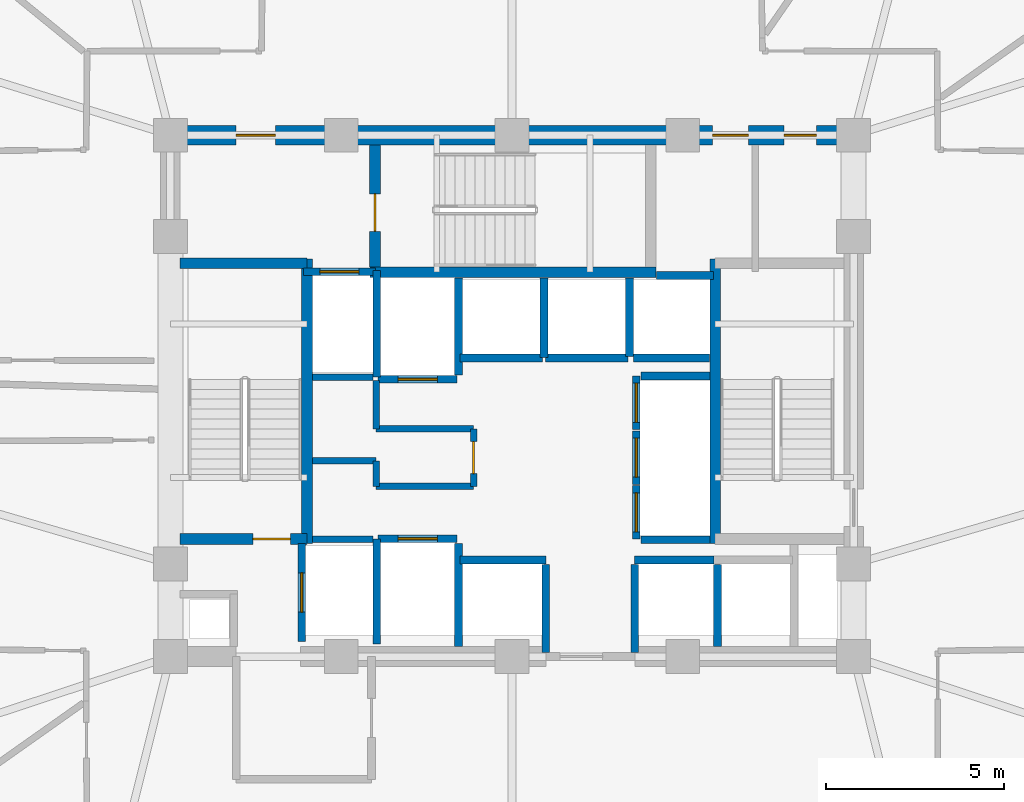
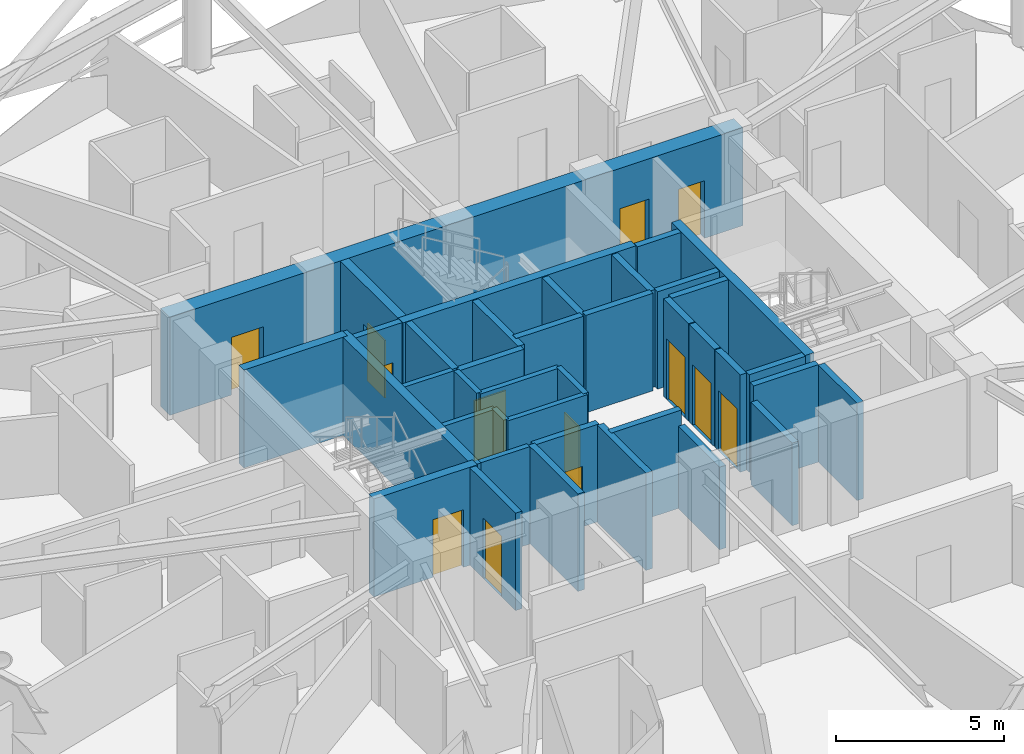
# One storey, part 24 of 30: 39 walls, 13 doors, 13 openings.
"""IFC4 building model written with IfcOpenShell, lengths in metres."""

from ifc_helpers import new_model, si_unit, direction, frame, frame_2d, origin, place, context, subcontext, project, spatial, rectangle, extrude, material, layer, layer_set, type_object, element, fill, save


model = new_model("IFC4")

# Units and contexts
model_context = context("Model", 3, precision=1e-05, world=origin(), true_north=direction((0.0, 1.0)))
body_context = subcontext(model_context, "Body", "Model", "MODEL_VIEW")
ifc_project = project(units=[si_unit("LENGTHUNIT", "METRE"), si_unit("AREAUNIT", "SQUARE_METRE"), si_unit("VOLUMEUNIT", "CUBIC_METRE"), si_unit("PLANEANGLEUNIT", "RADIAN"), si_unit("MASSUNIT", "GRAM", prefix="KILO")], contexts=[model_context])

# Site, building, storey
site_placement = place(None, origin())
site = spatial("IfcSite", under=ifc_project, at=site_placement, CompositionType="ELEMENT")
building_placement = place(site_placement, origin())
building = spatial("IfcBuilding", under=site, at=building_placement, Name="Vantalir Tower", CompositionType="ELEMENT")
storey_placement = place(building_placement, frame((0.0, 0.0, 119.699951171875)))
storey = spatial("IfcBuildingStorey", under=building, at=storey_placement, Name="L29", CompositionType="ELEMENT", Elevation=119.699951171875)

# Wall, openings, doors
ifc_material_1 = material(Name="Concrete C60/75", Category="concrete")
ifc_layer_1 = layer(ifc_material_1, 0.550048828125)
ifc_layer_set_1 = layer_set([ifc_layer_1], Name="Concrete C60/75")
wall_type_1 = type_object("IfcWallType", Name="WL-CORE-550", PredefinedType="SHEAR", material=ifc_layer_set_1)
wall_1_placement = place(storey_placement, frame((21.625, 32.449951171875, 0.0), z_axis=(0.0, 0.0, 1.0), x_axis=(1.0, 0.0, 0.0)))
wall_1 = element("IfcWall", 1, at=wall_1_placement, inside=storey, type_object=wall_type_1, Name="L29 Core Shear Wall North", PredefinedType="SHEAR", context=body_context, shape_type="SweptSolid", body=[
    extrude(rectangle(XDim=19.75, YDim=0.550048828125, at=frame_2d((9.875, 0.0))), origin(), (0.0, 0.0, 1.0), 3.570068359375),
])
opening_1_placement = place(wall_1_placement, frame((2.125, 0.0, 0.0)))
opening_1 = element("IfcOpeningElement", 2, at=opening_1_placement, cuts=wall_1, Name="Opening D-FFL", PredefinedType="OPENING", context=body_context, shape_type="SweptSolid", body=[
    extrude(rectangle(XDim=1.10009765625, YDim=2.10009765625, at=frame_2d((0.550048828125, 1.050048828125))), frame((0.0, 0.284912109375, 0.0), z_axis=(0.0, -1.0, 0.0), x_axis=(1.0, 0.0, 0.0)), (0.0, 0.0, 1.0), 0.570068359375),
])
opening_2_placement = place(wall_1_placement, frame((15.514892578125, 0.0, 0.0)))
opening_2 = element("IfcOpeningElement", 3, at=opening_2_placement, cuts=wall_1, Name="Opening D-GUEST", PredefinedType="OPENING", context=body_context, shape_type="SweptSolid", body=[
    extrude(rectangle(XDim=1.0, YDim=2.10009765625, at=frame_2d((0.5, 1.050048828125))), frame((0.0, 0.284912109375, 0.0), z_axis=(0.0, -1.0, 0.0), x_axis=(1.0, 0.0, 0.0)), (0.0, 0.0, 1.0), 0.570068359375),
])
opening_3_placement = place(wall_1_placement, frame((17.52490234375, 0.0, 0.0)))
opening_3 = element("IfcOpeningElement", 4, at=opening_3_placement, cuts=wall_1, Name="Opening D-CR", PredefinedType="OPENING", context=body_context, shape_type="SweptSolid", body=[
    extrude(rectangle(XDim=0.89990234375, YDim=2.10009765625, at=frame_2d((0.449951171875, 1.050048828125))), frame((0.0, 0.284912109375, 0.0), z_axis=(0.0, -1.0, 0.0), x_axis=(1.0, 0.0, 0.0)), (0.0, 0.0, 1.0), 0.570068359375),
])
ifc_material_2 = material(Name="Fire-rated steel core service door", Category="steel")
door_type_1 = type_object("IfcDoorType", Name="DR-CORE-SERV-900", OperationType="NOTDEFINED", PredefinedType="DOOR", material=ifc_material_2)
door_1_placement = place(opening_3_placement, frame((0.89990234375, 0.0, 0.0), z_axis=(0.0, 0.0, 1.0), x_axis=(-1.0, 0.0, 0.0)))
door_1 = element("IfcDoor", 5, at=door_1_placement, inside=storey, type_object=door_type_1, Name="L29 Housekeeping and Linen Room Door", OperationType="SINGLE_SWING_RIGHT", OverallHeight=2.10009765625, OverallWidth=0.89990234375, PredefinedType="DOOR", context=body_context, shape_type="SweptSolid", body=[
    extrude(rectangle(XDim=0.89990234375, YDim=2.10009765625, at=frame_2d((0.449951171875, 1.050048828125))), frame((0.0, 0.02490234375, 0.0), z_axis=(0.0, -1.0, 0.0), x_axis=(1.0, 0.0, 0.0)), (0.0, 0.0, 1.0), 0.050048828125),
])
fill(opening_3, door_1)
ifc_material_3 = material(Name="Fire-rated acoustic steel door", Category="steel")
door_type_2 = type_object("IfcDoorType", Name="DR-FIRE-LOBBY-1100", OperationType="NOTDEFINED", PredefinedType="DOOR", material=ifc_material_3)
door_2_placement = place(opening_1_placement, frame((1.10009765625, 0.0, 0.0), z_axis=(0.0, 0.0, 1.0), x_axis=(-1.0, 0.0, 0.0)))
door_2 = element("IfcDoor", 6, at=door_2_placement, inside=storey, type_object=door_type_2, Name="L29 Firefighting Lobby East Access Door", OperationType="SINGLE_SWING_LEFT", OverallHeight=2.10009765625, OverallWidth=1.10009765625, PredefinedType="DOOR", context=body_context, shape_type="SweptSolid", body=[
    extrude(rectangle(XDim=1.10009765625, YDim=2.10009765625, at=frame_2d((0.550048828125, 1.050048828125))), frame((0.0, 0.02490234375, 0.0), z_axis=(0.0, -1.0, 0.0), x_axis=(1.0, 0.0, 0.0)), (0.0, 0.0, 1.0), 0.050048828125),
])
fill(opening_1, door_2)
ifc_material_4 = material(Name="Solid-core teak veneer acoustic fire door", Category="wood")
door_type_3 = type_object("IfcDoorType", Name="DR-GUEST-ENTRY-1000", OperationType="NOTDEFINED", PredefinedType="DOOR", material=ifc_material_4)
door_3_placement = place(opening_2_placement, frame((1.0, 0.0, 0.0), z_axis=(0.0, 0.0, 1.0), x_axis=(-1.0, 0.0, 0.0)))
door_3 = element("IfcDoor", 7, at=door_3_placement, inside=storey, type_object=door_type_3, Name="L29 High-Rise Lift Lobby Door", OperationType="SINGLE_SWING_LEFT", OverallHeight=2.10009765625, OverallWidth=1.0, PredefinedType="DOOR", context=body_context, shape_type="SweptSolid", body=[
    extrude(rectangle(XDim=1.0, YDim=2.10009765625, at=frame_2d((0.5, 1.050048828125))), frame((0.0, 0.02490234375, 0.0), z_axis=(0.0, -1.0, 0.0), x_axis=(1.0, 0.0, 0.0)), (0.0, 0.0, 1.0), 0.050048828125),
])
fill(opening_2, door_3)

# Walls
ifc_material_5 = material(Name="Concrete blockwork with fireboard lining", Category="masonry")
ifc_layer_2 = layer(ifc_material_5, 0.219970703125)
ifc_layer_set_2 = layer_set([ifc_layer_2], Name="Concrete blockwork with fireboard lining")
wall_type_2 = type_object("IfcWallType", Name="WL-FFL-220", PredefinedType="PARTITIONING", material=ifc_layer_set_2)
wall_2_placement = place(storey_placement, frame((30.0, 18.080078125, 0.0), z_axis=(0.0, 0.0, 1.0), x_axis=(0.0, 1.0, 0.0)))
element("IfcWall", 8, at=wall_2_placement, inside=storey, type_object=wall_type_2, Name="L29 Service Lift SV1 East Shaft Wall", PredefinedType="PARTITIONING", context=body_context, shape_type="SweptSolid", body=[
    extrude(rectangle(XDim=2.89990234375, YDim=0.219970703125, at=frame_2d((1.449951171875, 0.0))), origin(), (0.0, 0.0, 1.0), 3.545166015625),
])
for number, where, z_axis, x_axis, name in (
    (9, (32.449951171875, 17.919921875, 0.0), (0.0, 0.0, 1.0), (0.0, 1.0, 0.0), "L29 Shuttle Lift PL-X1 East Shaft Cheek"),
    (10, (34.949951171875, 17.919921875, 0.0), (0.0, 0.0, 1.0), (0.0, 1.0, 0.0), "L29 Shuttle Lift PL-X3 West Shaft Cheek"),
):
    element("IfcWall", number, at=place(storey_placement, frame(where, z_axis=z_axis, x_axis=x_axis)), inside=storey, type_object=wall_type_2, Name=name, PredefinedType="PARTITIONING", context=body_context, shape_type="SweptSolid", body=[
        extrude(rectangle(XDim=2.469970703125, YDim=0.219970703125, at=frame_2d((1.23486328125, 0.0))), origin(), (0.0, 0.0, 1.0), 3.006103515625),
    ])
wall_3_placement = place(storey_placement, frame((37.27490234375, 18.080078125, 0.0), z_axis=(0.0, 0.0, 1.0), x_axis=(0.0, 1.0, 0.0)))
element("IfcWall", 11, at=wall_3_placement, inside=storey, type_object=wall_type_2, Name="L29 Shuttle Lift PL-X2/X3 Shaft Divider", PredefinedType="PARTITIONING", context=body_context, shape_type="SweptSolid", body=[
    extrude(rectangle(XDim=2.309814453125, YDim=0.219970703125, at=frame_2d((1.15478515625, 0.0))), origin(), (0.0, 0.0, 1.0), 3.545166015625),
])
wall_4_placement = place(storey_placement, frame((30.0, 25.7099609375, 0.0), z_axis=(0.0, 0.0, 1.0), x_axis=(0.0, 1.0, 0.0)))
element("IfcWall", 12, at=wall_4_placement, inside=storey, type_object=wall_type_2, Name="L29 Service Lift SV2 East Shaft Wall", PredefinedType="PARTITIONING", context=body_context, shape_type="SweptSolid", body=[
    extrude(rectangle(XDim=2.72998046875, YDim=0.219970703125, at=frame_2d((1.364990234375, 0.0))), origin(), (0.0, 0.0, 1.0), 3.545166015625),
])
wall_5_placement = place(storey_placement, frame((32.39990234375, 26.199951171875, 0.0), z_axis=(0.0, 0.0, 1.0), x_axis=(0.0, 1.0, 0.0)))
element("IfcWall", 13, at=wall_5_placement, inside=storey, type_object=wall_type_2, Name="L29 High-Rise Lift PL-H1/H2 Shaft Divider", PredefinedType="PARTITIONING", context=body_context, shape_type="SweptSolid", body=[
    extrude(rectangle(XDim=2.239990234375, YDim=0.219970703125, at=frame_2d((1.1201171875, 0.0))), origin(), (0.0, 0.0, 1.0), 3.545166015625),
])
wall_6_placement = place(storey_placement, frame((34.800048828125, 26.22998046875, 0.0), z_axis=(0.0, 0.0, 1.0), x_axis=(0.0, 1.0, 0.0)))
element("IfcWall", 14, at=wall_6_placement, inside=storey, type_object=wall_type_2, Name="L29 High-Rise Lift PL-H2/H3 Shaft Divider", PredefinedType="PARTITIONING", context=body_context, shape_type="SweptSolid", body=[
    extrude(rectangle(XDim=2.2099609375, YDim=0.219970703125, at=frame_2d((1.10498046875, 0.0))), origin(), (0.0, 0.0, 1.0), 3.545166015625),
])
wall_7_placement = place(storey_placement, frame((34.909912109375, 26.18994140625, 0.0), z_axis=(0.0, 0.0, 1.0), x_axis=(1.0, 0.0, 0.0)))
element("IfcWall", 15, at=wall_7_placement, inside=storey, type_object=wall_type_2, Name="L29 High-Rise Lift PL-H3 Rear Shaft Wall", PredefinedType="PARTITIONING", context=body_context, shape_type="SweptSolid", body=[
    extrude(rectangle(XDim=2.14013671875, YDim=0.219970703125, at=frame_2d((1.070068359375, 0.0))), origin(), (0.0, 0.0, 1.0), 3.545166015625),
])

# Wall, opening, door
wall_8_placement = place(storey_placement, frame((25.590087890625, 18.219970703125, 0.0), z_axis=(0.0, 0.0, 1.0), x_axis=(0.0, 1.0, 0.0)))
wall_8 = element("IfcWall", 16, at=wall_8_placement, inside=storey, type_object=wall_type_2, Name="L29 Lift FL1 Shaft Front Wall", PredefinedType="PARTITIONING", context=body_context, shape_type="SweptSolid", body=[
    extrude(rectangle(XDim=2.760009765625, YDim=0.219970703125, at=frame_2d((1.3798828125, 0.0))), origin(), (0.0, 0.0, 1.0), 3.550048828125),
])
opening_4_placement = place(wall_8_placement, frame((0.830078125, 0.0, 0.0)))
opening_4 = element("IfcOpeningElement", 17, at=opening_4_placement, cuts=wall_8, Name="Opening LD-FL1", PredefinedType="OPENING", context=body_context, shape_type="SweptSolid", body=[
    extrude(rectangle(XDim=1.10009765625, YDim=2.199951171875, at=frame_2d((0.550048828125, 1.10009765625))), frame((0.0, 0.119873046875, 0.0), z_axis=(0.0, -1.0, 0.0), x_axis=(1.0, 0.0, 0.0)), (0.0, 0.0, 1.0), 0.239990234375),
])
ifc_material_6 = material(Name="Brushed stainless-steel sliding lift landing door", Category="steel")
door_type_4 = type_object("IfcDoorType", Name="DR-LIFT-LANDING-1100", OperationType="DOUBLE_DOOR_SLIDING", PredefinedType="DOOR", material=ifc_material_6)
door_4_placement = place(opening_4_placement, origin())
door_4 = element("IfcDoor", 18, at=door_4_placement, inside=storey, type_object=door_type_4, Name="L29 Lift Landing Door FL1", OperationType="DOUBLE_DOOR_SLIDING", OverallHeight=2.199951171875, OverallWidth=1.10009765625, PredefinedType="DOOR", context=body_context, shape_type="SweptSolid", body=[
    extrude(rectangle(XDim=1.10009765625, YDim=2.199951171875, at=frame_2d((0.550048828125, 1.10009765625))), frame((0.0, 0.02490234375, 0.0), z_axis=(0.0, -1.0, 0.0), x_axis=(1.0, 0.0, 0.0)), (0.0, 0.0, 1.0), 0.050048828125),
])
fill(opening_4, door_4)

wall_9_placement = place(storey_placement, frame((25.639892578125, 28.610107421875, 0.0), z_axis=(0.0, 0.0, 1.0), x_axis=(1.0, 0.0, 0.0)))
wall_9 = element("IfcWall", 19, at=wall_9_placement, inside=storey, type_object=wall_type_2, Name="L29 Lift FL2 Shaft Front Wall", PredefinedType="PARTITIONING", context=body_context, shape_type="SweptSolid", body=[
    extrude(rectangle(XDim=2.02001953125, YDim=0.219970703125, at=frame_2d((1.010009765625, 0.0))), origin(), (0.0, 0.0, 1.0), 3.550048828125),
])
opening_5_placement = place(wall_9_placement, frame((0.4599609375, 0.0, 0.0)))
opening_5 = element("IfcOpeningElement", 20, at=opening_5_placement, cuts=wall_9, Name="Opening LD-FL2", PredefinedType="OPENING", context=body_context, shape_type="SweptSolid", body=[
    extrude(rectangle(XDim=1.10009765625, YDim=2.199951171875, at=frame_2d((0.550048828125, 1.10009765625))), frame((0.0, 0.119873046875, 0.0), z_axis=(0.0, -1.0, 0.0), x_axis=(1.0, 0.0, 0.0)), (0.0, 0.0, 1.0), 0.239990234375),
])
door_5_placement = place(opening_5_placement, origin())
door_5 = element("IfcDoor", 21, at=door_5_placement, inside=storey, type_object=door_type_4, Name="L29 Lift Landing Door FL2", OperationType="DOUBLE_DOOR_SLIDING", OverallHeight=2.199951171875, OverallWidth=1.10009765625, PredefinedType="DOOR", context=body_context, shape_type="SweptSolid", body=[
    extrude(rectangle(XDim=1.10009765625, YDim=2.199951171875, at=frame_2d((0.550048828125, 1.10009765625))), frame((0.0, 0.02490234375, 0.0), z_axis=(0.0, -1.0, 0.0), x_axis=(1.0, 0.0, 0.0)), (0.0, 0.0, 1.0), 0.050048828125),
])
fill(opening_5, door_5)

wall_10_placement = place(storey_placement, frame((27.739990234375, 21.110107421875, 0.0), z_axis=(0.0, 0.0, 1.0), x_axis=(1.0, 0.0, 0.0)))
wall_10 = element("IfcWall", 22, at=wall_10_placement, inside=storey, type_object=wall_type_2, Name="L29 Lift SV1 Shaft Front Wall", PredefinedType="PARTITIONING", context=body_context, shape_type="SweptSolid", body=[
    extrude(rectangle(XDim=2.219970703125, YDim=0.219970703125, at=frame_2d((1.10986328125, 0.0))), origin(), (0.0, 0.0, 1.0), 3.550048828125),
])
opening_6_placement = place(wall_10_placement, frame((0.56005859375, 0.0, 0.0)))
opening_6 = element("IfcOpeningElement", 23, at=opening_6_placement, cuts=wall_10, Name="Opening LD-SV1", PredefinedType="OPENING", context=body_context, shape_type="SweptSolid", body=[
    extrude(rectangle(XDim=1.10009765625, YDim=2.199951171875, at=frame_2d((0.550048828125, 1.10009765625))), frame((0.0, 0.119873046875, 0.0), z_axis=(0.0, -1.0, 0.0), x_axis=(1.0, 0.0, 0.0)), (0.0, 0.0, 1.0), 0.239990234375),
])
door_6_placement = place(opening_6_placement, origin())
door_6 = element("IfcDoor", 24, at=door_6_placement, inside=storey, type_object=door_type_4, Name="L29 Lift Landing Door SV1", OperationType="DOUBLE_DOOR_SLIDING", OverallHeight=2.199951171875, OverallWidth=1.10009765625, PredefinedType="DOOR", context=body_context, shape_type="SweptSolid", body=[
    extrude(rectangle(XDim=1.10009765625, YDim=2.199951171875, at=frame_2d((0.550048828125, 1.10009765625))), frame((0.0, 0.02490234375, 0.0), z_axis=(0.0, -1.0, 0.0), x_axis=(1.0, 0.0, 0.0)), (0.0, 0.0, 1.0), 0.050048828125),
])
fill(opening_6, door_6)

wall_11_placement = place(storey_placement, frame((27.739990234375, 25.590087890625, 0.0), z_axis=(0.0, 0.0, 1.0), x_axis=(1.0, 0.0, 0.0)))
wall_11 = element("IfcWall", 25, at=wall_11_placement, inside=storey, type_object=wall_type_2, Name="L29 Lift SV2 Shaft Front Wall", PredefinedType="PARTITIONING", context=body_context, shape_type="SweptSolid", body=[
    extrude(rectangle(XDim=2.219970703125, YDim=0.219970703125, at=frame_2d((1.10986328125, 0.0))), origin(), (0.0, 0.0, 1.0), 3.550048828125),
])
opening_7_placement = place(wall_11_placement, frame((0.56005859375, 0.0, 0.0)))
opening_7 = element("IfcOpeningElement", 26, at=opening_7_placement, cuts=wall_11, Name="Opening LD-SV2", PredefinedType="OPENING", context=body_context, shape_type="SweptSolid", body=[
    extrude(rectangle(XDim=1.10009765625, YDim=2.199951171875, at=frame_2d((0.550048828125, 1.10009765625))), frame((0.0, 0.119873046875, 0.0), z_axis=(0.0, -1.0, 0.0), x_axis=(1.0, 0.0, 0.0)), (0.0, 0.0, 1.0), 0.239990234375),
])
door_7_placement = place(opening_7_placement, frame((1.10009765625, 0.0, 0.0), z_axis=(0.0, 0.0, 1.0), x_axis=(-1.0, 0.0, 0.0)))
door_7 = element("IfcDoor", 27, at=door_7_placement, inside=storey, type_object=door_type_4, Name="L29 Lift Landing Door SV2", OperationType="DOUBLE_DOOR_SLIDING", OverallHeight=2.199951171875, OverallWidth=1.10009765625, PredefinedType="DOOR", context=body_context, shape_type="SweptSolid", body=[
    extrude(rectangle(XDim=1.10009765625, YDim=2.199951171875, at=frame_2d((0.550048828125, 1.10009765625))), frame((0.0, 0.02490234375, 0.0), z_axis=(0.0, -1.0, 0.0), x_axis=(1.0, 0.0, 0.0)), (0.0, 0.0, 1.0), 0.050048828125),
])
fill(opening_7, door_7)

# Walls
wall_12_placement = place(storey_placement, frame((30.0400390625, 20.510009765625, 0.0), z_axis=(0.0, 0.0, 1.0), x_axis=(1.0, 0.0, 0.0)))
element("IfcWall", 28, at=wall_12_placement, inside=storey, type_object=wall_type_2, Name="L29 Lift PL-X1 Shaft Front Wall", PredefinedType="PARTITIONING", context=body_context, shape_type="SweptSolid", body=[
    extrude(rectangle(XDim=2.419921875, YDim=0.219970703125, at=frame_2d((1.2099609375, 0.0))), origin(), (0.0, 0.0, 1.0), 3.550048828125),
])
wall_13_placement = place(storey_placement, frame((34.93994140625, 20.510009765625, 0.0), z_axis=(0.0, 0.0, 1.0), x_axis=(1.0, 0.0, 0.0)))
element("IfcWall", 29, at=wall_13_placement, inside=storey, type_object=wall_type_2, Name="L29 Lift PL-X3 Shaft Front Wall", PredefinedType="PARTITIONING", context=body_context, shape_type="SweptSolid", body=[
    extrude(rectangle(XDim=2.239990234375, YDim=0.219970703125, at=frame_2d((1.1201171875, 0.0))), origin(), (0.0, 0.0, 1.0), 3.550048828125),
])
for number, where, z_axis, x_axis, name in (
    (30, (30.0400390625, 26.18994140625, 0.0), (0.0, 0.0, 1.0), (1.0, 0.0, 0.0), "L29 Lift PL-H1 Shaft Front Wall"),
    (31, (32.43994140625, 26.18994140625, 0.0), (0.0, 0.0, 1.0), (1.0, 0.0, 0.0), "L29 Lift PL-H2 Shaft Front Wall"),
):
    element("IfcWall", number, at=place(storey_placement, frame(where, z_axis=z_axis, x_axis=x_axis)), inside=storey, type_object=wall_type_2, Name=name, PredefinedType="PARTITIONING", context=body_context, shape_type="SweptSolid", body=[
        extrude(rectangle(XDim=2.320068359375, YDim=0.219970703125, at=frame_2d((1.16015625, 0.0))), origin(), (0.0, 0.0, 1.0), 3.550048828125),
    ])
wall_14_placement = place(storey_placement, frame((35.56005859375, 28.510009765625, 0.0), z_axis=(0.0, 0.0, 1.0), x_axis=(1.0, 0.0, 0.0)))
element("IfcWall", 32, at=wall_14_placement, inside=storey, type_object=wall_type_2, Name="L29 Lift PL-H3 Shaft Front Wall", PredefinedType="PARTITIONING", context=body_context, shape_type="SweptSolid", body=[
    extrude(rectangle(XDim=1.599853515625, YDim=0.219970703125, at=frame_2d((0.7998046875, 0.0))), origin(), (0.0, 0.0, 1.0), 3.550048828125),
])

# Wall, opening, door
wall_15_placement = place(storey_placement, frame((34.989990234375, 21.10009765625, 0.0), z_axis=(0.0, 0.0, 1.0), x_axis=(0.0, 1.0, 0.0)))
wall_15 = element("IfcWall", 33, at=wall_15_placement, inside=storey, type_object=wall_type_2, Name="L29 Lift PL-M1 Shaft Front Wall", PredefinedType="PARTITIONING", context=body_context, shape_type="SweptSolid", body=[
    extrude(rectangle(XDim=1.5, YDim=0.219970703125, at=frame_2d((0.75, 0.0))), origin(), (0.0, 0.0, 1.0), 3.550048828125),
])
opening_8_placement = place(wall_15_placement, frame((0.199951171875, 0.0, 0.0)))
opening_8 = element("IfcOpeningElement", 34, at=opening_8_placement, cuts=wall_15, Name="Opening LD-PL-M1", PredefinedType="OPENING", context=body_context, shape_type="SweptSolid", body=[
    extrude(rectangle(XDim=1.10009765625, YDim=2.199951171875, at=frame_2d((0.550048828125, 1.10009765625))), frame((0.0, 0.119873046875, 0.0), z_axis=(0.0, -1.0, 0.0), x_axis=(1.0, 0.0, 0.0)), (0.0, 0.0, 1.0), 0.239990234375),
])
door_8_placement = place(opening_8_placement, origin())
door_8 = element("IfcDoor", 35, at=door_8_placement, inside=storey, type_object=door_type_4, Name="L29 Lift Landing Door PL-M1", OperationType="DOUBLE_DOOR_SLIDING", OverallHeight=2.199951171875, OverallWidth=1.10009765625, PredefinedType="DOOR", context=body_context, shape_type="SweptSolid", body=[
    extrude(rectangle(XDim=1.10009765625, YDim=2.199951171875, at=frame_2d((0.550048828125, 1.10009765625))), frame((0.0, 0.02490234375, 0.0), z_axis=(0.0, -1.0, 0.0), x_axis=(1.0, 0.0, 0.0)), (0.0, 0.0, 1.0), 0.050048828125),
])
fill(opening_8, door_8)

wall_16_placement = place(storey_placement, frame((34.989990234375, 22.639892578125, 0.0), z_axis=(0.0, 0.0, 1.0), x_axis=(0.0, 1.0, 0.0)))
wall_16 = element("IfcWall", 36, at=wall_16_placement, inside=storey, type_object=wall_type_2, Name="L29 Lift PL-M2 Shaft Front Wall", PredefinedType="PARTITIONING", context=body_context, shape_type="SweptSolid", body=[
    extrude(rectangle(XDim=1.5, YDim=0.219970703125, at=frame_2d((0.75, 0.0))), origin(), (0.0, 0.0, 1.0), 3.550048828125),
])
opening_9_placement = place(wall_16_placement, frame((0.199951171875, 0.0, 0.0)))
opening_9 = element("IfcOpeningElement", 37, at=opening_9_placement, cuts=wall_16, Name="Opening LD-PL-M2", PredefinedType="OPENING", context=body_context, shape_type="SweptSolid", body=[
    extrude(rectangle(XDim=1.10009765625, YDim=2.199951171875, at=frame_2d((0.550048828125, 1.10009765625))), frame((0.0, 0.119873046875, 0.0), z_axis=(0.0, -1.0, 0.0), x_axis=(1.0, 0.0, 0.0)), (0.0, 0.0, 1.0), 0.239990234375),
])
door_9_placement = place(opening_9_placement, origin())
door_9 = element("IfcDoor", 38, at=door_9_placement, inside=storey, type_object=door_type_4, Name="L29 Lift Landing Door PL-M2", OperationType="DOUBLE_DOOR_SLIDING", OverallHeight=2.199951171875, OverallWidth=1.10009765625, PredefinedType="DOOR", context=body_context, shape_type="SweptSolid", body=[
    extrude(rectangle(XDim=1.10009765625, YDim=2.199951171875, at=frame_2d((0.550048828125, 1.10009765625))), frame((0.0, 0.02490234375, 0.0), z_axis=(0.0, -1.0, 0.0), x_axis=(1.0, 0.0, 0.0)), (0.0, 0.0, 1.0), 0.050048828125),
])
fill(opening_9, door_9)

wall_17_placement = place(storey_placement, frame((34.989990234375, 24.179931640625, 0.0), z_axis=(0.0, 0.0, 1.0), x_axis=(0.0, 1.0, 0.0)))
wall_17 = element("IfcWall", 39, at=wall_17_placement, inside=storey, type_object=wall_type_2, Name="L29 Lift PL-M3 Shaft Front Wall", PredefinedType="PARTITIONING", context=body_context, shape_type="SweptSolid", body=[
    extrude(rectangle(XDim=1.5, YDim=0.219970703125, at=frame_2d((0.75, 0.0))), origin(), (0.0, 0.0, 1.0), 3.550048828125),
])
opening_10_placement = place(wall_17_placement, frame((0.199951171875, 0.0, 0.0)))
opening_10 = element("IfcOpeningElement", 40, at=opening_10_placement, cuts=wall_17, Name="Opening LD-PL-M3", PredefinedType="OPENING", context=body_context, shape_type="SweptSolid", body=[
    extrude(rectangle(XDim=1.10009765625, YDim=2.199951171875, at=frame_2d((0.550048828125, 1.10009765625))), frame((0.0, 0.119873046875, 0.0), z_axis=(0.0, -1.0, 0.0), x_axis=(1.0, 0.0, 0.0)), (0.0, 0.0, 1.0), 0.239990234375),
])
door_10_placement = place(opening_10_placement, origin())
door_10 = element("IfcDoor", 41, at=door_10_placement, inside=storey, type_object=door_type_4, Name="L29 Lift Landing Door PL-M3", OperationType="DOUBLE_DOOR_SLIDING", OverallHeight=2.199951171875, OverallWidth=1.10009765625, PredefinedType="DOOR", context=body_context, shape_type="SweptSolid", body=[
    extrude(rectangle(XDim=1.10009765625, YDim=2.199951171875, at=frame_2d((0.550048828125, 1.10009765625))), frame((0.0, 0.02490234375, 0.0), z_axis=(0.0, -1.0, 0.0), x_axis=(1.0, 0.0, 0.0)), (0.0, 0.0, 1.0), 0.050048828125),
])
fill(opening_10, door_10)

# Walls
wall_18_placement = place(storey_placement, frame((27.699951171875, 18.14990234375, 0.0), z_axis=(0.0, 0.0, 1.0), x_axis=(0.0, 1.0, 0.0)))
element("IfcWall", 42, at=wall_18_placement, inside=storey, type_object=wall_type_2, Name="L29 Fire Lift FL1 Dividing Wall", PredefinedType="PARTITIONING", context=body_context, shape_type="SweptSolid", body=[
    extrude(rectangle(XDim=2.9501953125, YDim=0.219970703125, at=frame_2d((1.47509765625, 0.0))), origin(), (0.0, 0.0, 1.0), 3.550048828125),
])
wall_19_placement = place(storey_placement, frame((27.699951171875, 25.64990234375, 0.0), z_axis=(0.0, 0.0, 1.0), x_axis=(0.0, 1.0, 0.0)))
element("IfcWall", 43, at=wall_19_placement, inside=storey, type_object=wall_type_2, Name="L29 Fire Lift FL2 Dividing Wall", PredefinedType="PARTITIONING", context=body_context, shape_type="SweptSolid", body=[
    extrude(rectangle(XDim=3.0, YDim=0.219970703125, at=frame_2d((1.5, 0.0))), origin(), (0.0, 0.0, 1.0), 3.550048828125),
])
for number, where, z_axis, x_axis, name in (
    (44, (35.1201171875, 21.080078125, 0.0), (0.0, 0.0, 1.0), (1.0, 0.0, 0.0), "L29 Mid-Rise Bank South Wall"),
    (45, (35.1201171875, 25.679931640625, 0.0), (0.0, 0.0, 1.0), (1.0, 0.0, 0.0), "L29 Mid-Rise Bank North Wall"),
):
    element("IfcWall", number, at=place(storey_placement, frame(where, z_axis=z_axis, x_axis=x_axis)), inside=storey, type_object=wall_type_2, Name=name, PredefinedType="PARTITIONING", context=body_context, shape_type="SweptSolid", body=[
        extrude(rectangle(XDim=1.93994140625, YDim=0.219970703125, at=frame_2d((0.969970703125, 0.0))), origin(), (0.0, 0.0, 1.0), 3.550048828125),
    ])
ifc_material_7 = material(Name="Twin-stud acoustic fire-rated gypsum partition", Category="gypsum")
ifc_layer_3 = layer(ifc_material_7, 0.179931640625)
ifc_layer_set_3 = layer_set([ifc_layer_3], Name="Twin-stud acoustic fire-rated gypsum partition")
wall_type_3 = type_object("IfcWallType", Name="WL-GUEST-180", PredefinedType="PARTITIONING", material=ifc_layer_set_3)
for number, where, z_axis, x_axis, name in (
    (46, (25.889892578125, 21.10009765625, 0.0), (0.0, 0.0, 1.0), (1.0, 0.0, 0.0), "L29 Freed West Core South Wall"),
    (47, (25.889892578125, 25.64990234375, 0.0), (0.0, 0.0, 1.0), (1.0, 0.0, 0.0), "L29 Freed West Core North Wall"),
):
    element("IfcWall", number, at=place(storey_placement, frame(where, z_axis=z_axis, x_axis=x_axis)), inside=storey, type_object=wall_type_3, Name=name, PredefinedType="PARTITIONING", context=body_context, shape_type="SweptSolid", body=[
        extrude(rectangle(XDim=1.7001953125, YDim=0.179931640625, at=frame_2d((0.85009765625, 0.0))), origin(), (0.0, 0.0, 1.0), 3.550048828125),
    ])
wall_20_placement = place(storey_placement, frame((25.889892578125, 23.300048828125, 0.0), z_axis=(0.0, 0.0, 1.0), x_axis=(1.0, 0.0, 0.0)))
element("IfcWall", 48, at=wall_20_placement, inside=storey, type_object=wall_type_3, Name="L29 West Linen South-West Wall", PredefinedType="PARTITIONING", context=body_context, shape_type="SweptSolid", body=[
    extrude(rectangle(XDim=1.7900390625, YDim=0.179931640625, at=frame_2d((0.89501953125, 0.0))), origin(), (0.0, 0.0, 1.0), 3.550048828125),
])
wall_21_placement = place(storey_placement, frame((27.679931640625, 22.580078125, 0.0), z_axis=(0.0, 0.0, 1.0), x_axis=(0.0, 1.0, 0.0)))
element("IfcWall", 49, at=wall_21_placement, inside=storey, type_object=wall_type_3, Name="L29 West Linen Step Wall", PredefinedType="PARTITIONING", context=body_context, shape_type="SweptSolid", body=[
    extrude(rectangle(XDim=0.719970703125, YDim=0.179931640625, at=frame_2d((0.35986328125, 0.0))), origin(), (0.0, 0.0, 1.0), 3.550048828125),
])
wall_22_placement = place(storey_placement, frame((27.679931640625, 22.580078125, 0.0), z_axis=(0.0, 0.0, 1.0), x_axis=(1.0, 0.0, 0.0)))
element("IfcWall", 50, at=wall_22_placement, inside=storey, type_object=wall_type_3, Name="L29 West Linen Alcove South Wall", PredefinedType="PARTITIONING", context=body_context, shape_type="SweptSolid", body=[
    extrude(rectangle(XDim=2.739990234375, YDim=0.179931640625, at=frame_2d((1.3701171875, 0.0))), origin(), (0.0, 0.0, 1.0), 3.550048828125),
])

# Wall, opening, door
wall_23_placement = place(storey_placement, frame((30.419921875, 22.580078125, 0.0), z_axis=(0.0, 0.0, 1.0), x_axis=(0.0, 1.0, 0.0)))
wall_23 = element("IfcWall", 51, at=wall_23_placement, inside=storey, type_object=wall_type_3, Name="L29 West Linen Alcove East Wall", PredefinedType="PARTITIONING", context=body_context, shape_type="SweptSolid", body=[
    extrude(rectangle(XDim=1.619873046875, YDim=0.179931640625, at=frame_2d((0.81005859375, 0.0))), origin(), (0.0, 0.0, 1.0), 3.550048828125),
])
opening_11_placement = place(wall_23_placement, frame((0.360107421875, 0.0, 0.0)))
opening_11 = element("IfcOpeningElement", 52, at=opening_11_placement, cuts=wall_23, Name="Opening D-CR", PredefinedType="OPENING", context=body_context, shape_type="SweptSolid", body=[
    extrude(rectangle(XDim=0.89990234375, YDim=2.10009765625, at=frame_2d((0.449951171875, 1.050048828125))), frame((0.0, 0.099853515625, 0.0), z_axis=(0.0, -1.0, 0.0), x_axis=(1.0, 0.0, 0.0)), (0.0, 0.0, 1.0), 0.199951171875),
])
door_11_placement = place(opening_11_placement, origin())
door_11 = element("IfcDoor", 53, at=door_11_placement, inside=storey, type_object=door_type_1, Name="L29 Core Linen Store Door", OperationType="SINGLE_SWING_LEFT", OverallHeight=2.10009765625, OverallWidth=0.89990234375, PredefinedType="DOOR", context=body_context, shape_type="SweptSolid", body=[
    extrude(rectangle(XDim=0.89990234375, YDim=2.10009765625, at=frame_2d((0.449951171875, 1.050048828125))), frame((0.0, 0.02490234375, 0.0), z_axis=(0.0, -1.0, 0.0), x_axis=(1.0, 0.0, 0.0)), (0.0, 0.0, 1.0), 0.050048828125),
])
fill(opening_11, door_11)

# Walls
wall_24_placement = place(storey_placement, frame((27.679931640625, 24.199951171875, 0.0), z_axis=(0.0, 0.0, 1.0), x_axis=(1.0, 0.0, 0.0)))
element("IfcWall", 54, at=wall_24_placement, inside=storey, type_object=wall_type_3, Name="L29 West Linen Alcove North Wall", PredefinedType="PARTITIONING", context=body_context, shape_type="SweptSolid", body=[
    extrude(rectangle(XDim=2.739990234375, YDim=0.179931640625, at=frame_2d((1.3701171875, 0.0))), origin(), (0.0, 0.0, 1.0), 3.550048828125),
])
wall_25_placement = place(storey_placement, frame((27.679931640625, 24.199951171875, 0.0), z_axis=(0.0, 0.0, 1.0), x_axis=(0.0, 1.0, 0.0)))
element("IfcWall", 55, at=wall_25_placement, inside=storey, type_object=wall_type_3, Name="L29 West Linen Upper East Wall", PredefinedType="PARTITIONING", context=body_context, shape_type="SweptSolid", body=[
    extrude(rectangle(XDim=1.360107421875, YDim=0.179931640625, at=frame_2d((0.68017578125, 0.0))), origin(), (0.0, 0.0, 1.0), 3.550048828125),
])

# Wall, opening, door
ifc_material_8 = material(Name="Concrete C50/60", Category="concrete")
ifc_layer_4 = layer(ifc_material_8, 0.300048828125)
ifc_layer_set_4 = layer_set([ifc_layer_4], Name="Concrete C50/60")
wall_type_4 = type_object("IfcWallType", Name="WL-STAIR-300", PredefinedType="SHEAR", material=ifc_layer_set_4)
wall_26_placement = place(storey_placement, frame((22.175048828125, 21.10009765625, 0.0), z_axis=(0.0, 0.0, 1.0), x_axis=(1.0, 0.0, 0.0)))
wall_26 = element("IfcWall", 56, at=wall_26_placement, inside=storey, type_object=wall_type_4, Name="L29 Stair ST1 South Wall", PredefinedType="SHEAR", context=body_context, shape_type="SweptSolid", body=[
    extrude(rectangle(XDim=3.56494140625, YDim=0.300048828125, at=frame_2d((1.782470703125, 0.0))), origin(), (0.0, 0.0, 1.0), 3.570068359375),
])
opening_12_placement = place(wall_26_placement, frame((2.044921875, 0.0, 0.0)))
opening_12 = element("IfcOpeningElement", 57, at=opening_12_placement, cuts=wall_26, Name="Opening D-ST", PredefinedType="OPENING", context=body_context, shape_type="SweptSolid", body=[
    extrude(rectangle(XDim=1.050048828125, YDim=2.10009765625, at=frame_2d((0.52490234375, 1.050048828125))), frame((0.0, 0.159912109375, 0.0), z_axis=(0.0, -1.0, 0.0), x_axis=(1.0, 0.0, 0.0)), (0.0, 0.0, 1.0), 0.320068359375),
])
ifc_material_9 = material(Name="Fire-rated steel door leaf", Category="steel")
door_type_5 = type_object("IfcDoorType", Name="DR-FIRE-STAIR-1050", OperationType="NOTDEFINED", PredefinedType="DOOR", material=ifc_material_9)
door_12_placement = place(opening_12_placement, origin())
door_12 = element("IfcDoor", 58, at=door_12_placement, inside=storey, type_object=door_type_5, Name="L29 Exit Stair ST1 Fire Door", OperationType="SINGLE_SWING_RIGHT", OverallHeight=2.10009765625, OverallWidth=1.050048828125, PredefinedType="DOOR", context=body_context, shape_type="SweptSolid", body=[
    extrude(rectangle(XDim=1.050048828125, YDim=2.10009765625, at=frame_2d((0.52490234375, 1.050048828125))), frame((0.0, 0.02490234375, 0.0), z_axis=(0.0, -1.0, 0.0), x_axis=(1.0, 0.0, 0.0)), (0.0, 0.0, 1.0), 0.050048828125),
])
fill(opening_12, door_12)

# Walls
wall_27_placement = place(storey_placement, frame((22.175048828125, 28.85009765625, 0.0), z_axis=(0.0, 0.0, 1.0), x_axis=(1.0, 0.0, 0.0)))
element("IfcWall", 59, at=wall_27_placement, inside=storey, type_object=wall_type_4, Name="L29 Stair ST1 North Wall", PredefinedType="SHEAR", context=body_context, shape_type="SweptSolid", body=[
    extrude(rectangle(XDim=3.56494140625, YDim=0.300048828125, at=frame_2d((1.782470703125, 0.0))), origin(), (0.0, 0.0, 1.0), 3.570068359375),
])
for number, where, z_axis, x_axis, name in (
    (60, (25.739990234375, 20.97998046875, 0.0), (0.0, 0.0, 1.0), (0.0, 1.0, 0.0), "L29 Stair ST1 East Wall"),
    (61, (37.2099609375, 20.97998046875, 0.0), (0.0, 0.0, 1.0), (0.0, 1.0, 0.0), "L29 Stair ST2 West Wall"),
):
    element("IfcWall", number, at=place(storey_placement, frame(where, z_axis=z_axis, x_axis=x_axis)), inside=storey, type_object=wall_type_4, Name=name, PredefinedType="SHEAR", context=body_context, shape_type="SweptSolid", body=[
        extrude(rectangle(XDim=7.989990234375, YDim=0.300048828125, at=frame_2d((3.9951171875, 0.0))), origin(), (0.0, 0.0, 1.0), 3.570068359375),
    ])
wall_28_placement = place(storey_placement, frame((27.510009765625, 28.60009765625, 0.0), z_axis=(0.0, 0.0, 1.0), x_axis=(1.0, 0.0, 0.0)))
element("IfcWall", 62, at=wall_28_placement, inside=storey, type_object=wall_type_4, Name="L29 Stair ST3 South Wall", PredefinedType="SHEAR", context=body_context, shape_type="SweptSolid", body=[
    extrude(rectangle(XDim=8.030029296875, YDim=0.300048828125, at=frame_2d((4.01513671875, 0.0))), origin(), (0.0, 0.0, 1.0), 3.570068359375),
])

# Wall, opening, door
wall_29_placement = place(storey_placement, frame((27.64990234375, 28.75, 0.0), z_axis=(0.0, 0.0, 1.0), x_axis=(0.0, 1.0, 0.0)))
wall_29 = element("IfcWall", 63, at=wall_29_placement, inside=storey, type_object=wall_type_4, Name="L29 Stair ST3 West Wall", PredefinedType="SHEAR", context=body_context, shape_type="SweptSolid", body=[
    extrude(rectangle(XDim=3.425048828125, YDim=0.300048828125, at=frame_2d((1.71240234375, 0.0))), origin(), (0.0, 0.0, 1.0), 3.570068359375),
])
opening_13_placement = place(wall_29_placement, frame((1.0, 0.0, 0.0)))
opening_13 = element("IfcOpeningElement", 64, at=opening_13_placement, cuts=wall_29, Name="Opening D-ST", PredefinedType="OPENING", context=body_context, shape_type="SweptSolid", body=[
    extrude(rectangle(XDim=1.050048828125, YDim=2.10009765625, at=frame_2d((0.52490234375, 1.050048828125))), frame((0.0, 0.159912109375, 0.0), z_axis=(0.0, -1.0, 0.0), x_axis=(1.0, 0.0, 0.0)), (0.0, 0.0, 1.0), 0.320068359375),
])
door_13_placement = place(opening_13_placement, frame((1.050048828125, 0.0, 0.0), z_axis=(0.0, 0.0, 1.0), x_axis=(-1.0, 0.0, 0.0)))
door_13 = element("IfcDoor", 65, at=door_13_placement, inside=storey, type_object=door_type_5, Name="L29 Exit Stair ST3 Fire Door", OperationType="SINGLE_SWING_RIGHT", OverallHeight=2.10009765625, OverallWidth=1.050048828125, PredefinedType="DOOR", context=body_context, shape_type="SweptSolid", body=[
    extrude(rectangle(XDim=1.050048828125, YDim=2.10009765625, at=frame_2d((0.52490234375, 1.050048828125))), frame((0.0, 0.02490234375, 0.0), z_axis=(0.0, -1.0, 0.0), x_axis=(1.0, 0.0, 0.0)), (0.0, 0.0, 1.0), 0.050048828125),
])
fill(opening_13, door_13)

save(model, "model.ifc")
